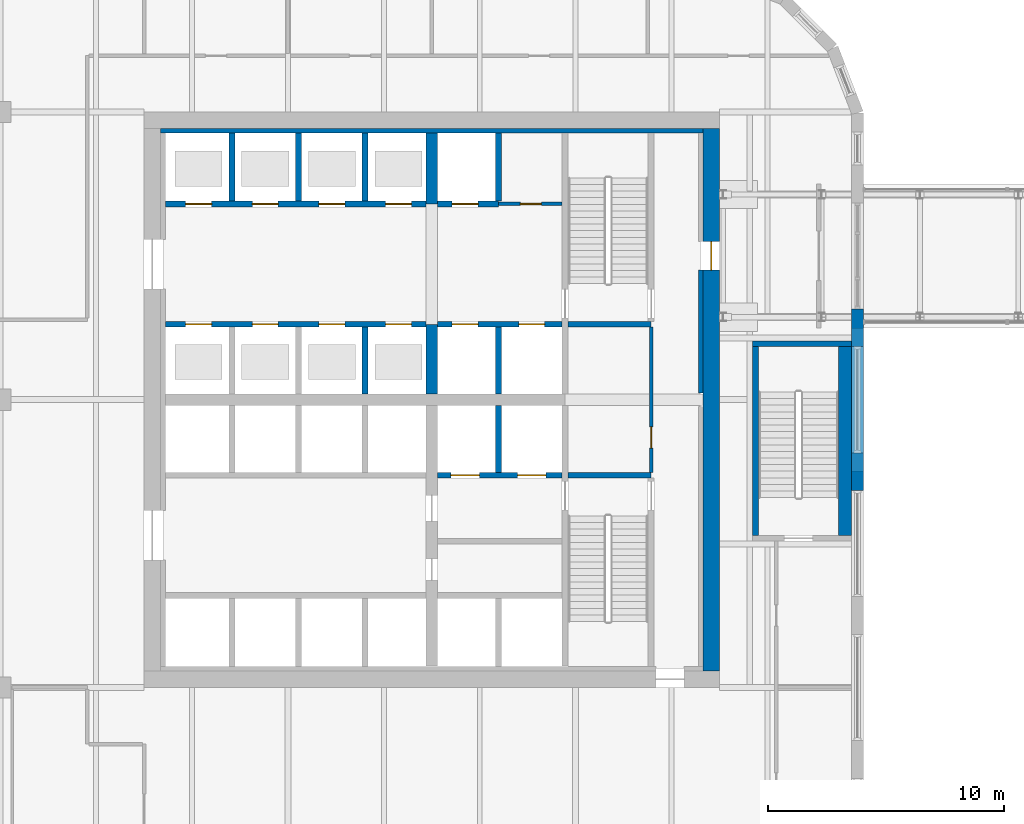
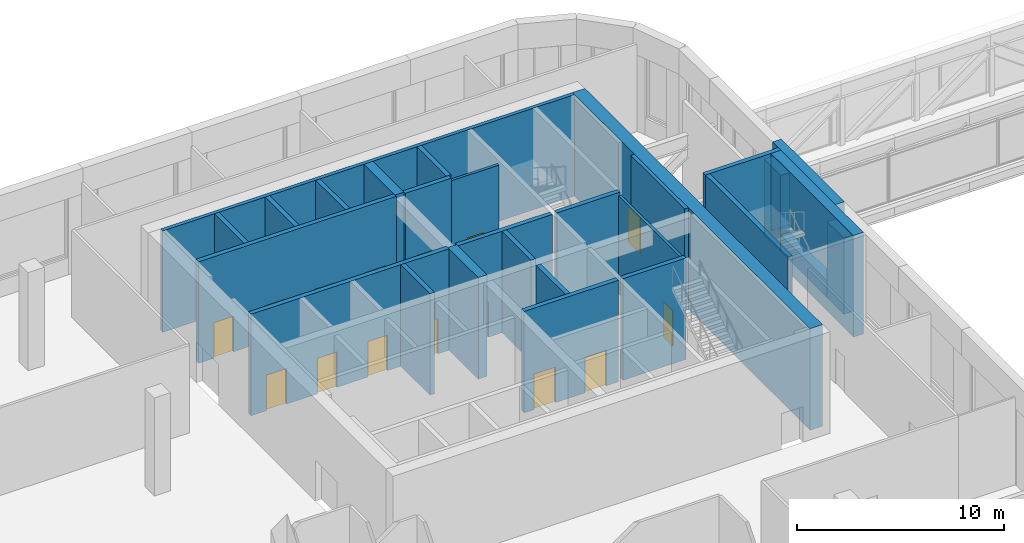
# One storey, part 24 of 36: 28 walls, 16 doors, 16 openings.
"""IFC4 building model written with IfcOpenShell, lengths in metres."""

import ifcopenshell
import ifcopenshell.guid

model = None  # the IFC model being written
_history = None  # IfcOwnerHistory: only IFC2X3 demands one
_inside = {}  # id of a spatial element -> (the spatial element, [elements in it])
_under = {}  # id of a project, library or spatial element -> (it, [spatial elements below it])
_declared = {}  # id of a project -> (the project, [libraries it declares])
_typed = {}  # id of a type object -> (the type object, [elements of that type])
_made_of = {}  # id of a material, layer set ... -> (it, [elements and type objects made of it])


def new_model(schema):
    """Start an empty IFC model of exactly this schema.

    Asked for "IFC4X3", IfcOpenShell would pick the latest addendum, in which some entities
    have other attributes; the version numbers below select the first issue.
    IFC2X3 requires an IfcOwnerHistory on every rooted entity: one is made here for all.
    """
    global model, _history
    if schema == "IFC4X3":
        model = ifcopenshell.file(schema_version=(4, 3, 0, 0))
    else:
        model = ifcopenshell.file(schema=schema)
    _inside.clear()
    _under.clear()
    _declared.clear()
    _typed.clear()
    _made_of.clear()
    _history = None
    if model.schema == "IFC2X3":
        org = make("IfcOrganization", Name="unknown")
        user = make(
            "IfcPersonAndOrganization",
            ThePerson=make("IfcPerson", FamilyName="unknown"),
            TheOrganization=org,
        )
        app = make(
            "IfcApplication",
            ApplicationDeveloper=org,
            Version="unknown",
            ApplicationFullName="unknown",
            ApplicationIdentifier="unknown",
        )
        _history = make(
            "IfcOwnerHistory",
            OwningUser=user,
            OwningApplication=app,
            ChangeAction="ADDED",
            CreationDate=0,
        )
    return model


def make(cls, **values):
    """One entity of the class cls with the attributes given. An attribute that is None is left unset."""
    return model.create_entity(
        cls, **{name: value for name, value in values.items() if value is not None}
    )


def rooted(cls, **values):
    """An entity with a GlobalId (a new one), such as an element, a storey or a relation."""
    return make(cls, GlobalId=ifcopenshell.guid.new(), OwnerHistory=_history, **values)


def si_unit(unit_type, name, prefix=None):
    """IfcSIUnit, for example si_unit("LENGTHUNIT", "METRE", prefix="MILLI")."""
    return make("IfcSIUnit", UnitType=unit_type, Prefix=prefix, Name=name)


def assignment(units):
    """IfcUnitAssignment: the units of a project."""
    return None if units is None else make("IfcUnitAssignment", Units=units)


def point(xyz):
    """IfcCartesianPoint."""
    return None if xyz is None else make("IfcCartesianPoint", Coordinates=xyz)


def direction(xyz):
    """IfcDirection."""
    return None if xyz is None else make("IfcDirection", DirectionRatios=xyz)


def frame(location, z_axis=None, x_axis=None):
    """IfcAxis2Placement3D, a coordinate frame: its origin and axes. An axis left out is left unset."""
    return make(
        "IfcAxis2Placement3D",
        Location=point(location),
        Axis=direction(z_axis),
        RefDirection=direction(x_axis),
    )


def frame_2d(location, x_axis=None):
    """IfcAxis2Placement2D, a coordinate frame in the plane: its origin and x axis."""
    return make(
        "IfcAxis2Placement2D", Location=point(location), RefDirection=direction(x_axis)
    )


def origin():
    """The frame at (0, 0, 0) with its axes left unset."""
    return frame((0.0, 0.0, 0.0))


def place(relative_to, where):
    """IfcLocalPlacement: puts the frame where relative to a parent placement (None: the world)."""
    return make(
        "IfcLocalPlacement", PlacementRelTo=relative_to, RelativePlacement=where
    )


def context(
    kind, dimensions, precision=None, world=None, true_north=None, identifier=None
):
    """IfcGeometricRepresentationContext, for example the 3D "Model" context."""
    return make(
        "IfcGeometricRepresentationContext",
        ContextIdentifier=identifier,
        ContextType=kind,
        CoordinateSpaceDimension=dimensions,
        Precision=precision,
        WorldCoordinateSystem=world,
        TrueNorth=true_north,
    )


def subcontext(parent, identifier, kind, view, scale=None):
    """IfcGeometricRepresentationSubContext, for example "Body" below "Model"."""
    return make(
        "IfcGeometricRepresentationSubContext",
        ContextIdentifier=identifier,
        ContextType=kind,
        ParentContext=parent,
        TargetScale=scale,
        TargetView=view,
    )


def project(units=None, contexts=None):
    """IfcProject with its units and contexts."""
    return rooted(
        "IfcProject",
        Name="project",
        RepresentationContexts=contexts,
        UnitsInContext=assignment(units),
    )


def spatial(cls, under=None, at=None, **own):
    """A site, building, storey or space (cls), placed at a placement, below another one or the project."""
    s = rooted(cls, ObjectPlacement=at, **own)
    if under is not None:
        _under.setdefault(under.id(), (under, []))[1].append(s)
    return s


def polyline(points):
    """IfcPolyline through the points."""
    return make("IfcPolyline", Points=[point(p) for p in points])


def profile(cls, at=None, kind="AREA", **sizes):
    """A parametric profile (cls). Its sizes go by their IFC names, for example OverallWidth=200.0."""
    return make(cls, ProfileType=kind, Position=at, **sizes)


def rectangle(**sizes):
    """IfcRectangleProfileDef."""
    return profile("IfcRectangleProfileDef", **sizes)


def outline(outer, holes=None, kind="AREA"):
    """IfcArbitraryClosedProfileDef: a profile drawn as a closed curve; with holes, ...WithVoids."""
    if holes is None:
        return make("IfcArbitraryClosedProfileDef", ProfileType=kind, OuterCurve=outer)
    return make(
        "IfcArbitraryProfileDefWithVoids",
        ProfileType=kind,
        OuterCurve=outer,
        InnerCurves=holes,
    )


def extrude(swept, where, along, depth):
    """IfcExtrudedAreaSolid: the profile swept, set in the frame where, extruded along a direction by depth."""
    return make(
        "IfcExtrudedAreaSolid",
        SweptArea=swept,
        Position=where,
        ExtrudedDirection=direction(along),
        Depth=depth,
    )


def faces_of(points, faces, orient=None, outer=None):
    """IfcFace entities. A face is a list of loops; a loop is a list of indices into points, from 0.

    orient and outer hold one flag for each loop. By default every Orientation is true, the
    first loop of a face is its IfcFaceOuterBound and the others are IfcFaceBound.
    """
    made = []
    for i, loops in enumerate(faces):
        bounds = []
        for j, loop in enumerate(loops):
            is_outer = j == 0 if outer is None else outer[i][j]
            bounds.append(
                make(
                    "IfcFaceOuterBound" if is_outer else "IfcFaceBound",
                    Bound=make("IfcPolyLoop", Polygon=[points[k] for k in loop]),
                    Orientation=True if orient is None else orient[i][j],
                )
            )
        made.append(make("IfcFace", Bounds=bounds))
    return made


def faceted_brep(points, faces, orient=None, outer=None, voids=None):
    """IfcFacetedBrep: a solid bounded by flat faces; with voids (closed shells), ...WithVoids."""
    shared = [point(p) for p in points]
    hull = make("IfcClosedShell", CfsFaces=faces_of(shared, faces, orient, outer))
    if voids is None:
        return make("IfcFacetedBrep", Outer=hull)
    return make(
        "IfcFacetedBrepWithVoids",
        Outer=hull,
        Voids=[
            make(cls, CfsFaces=faces_of(shared, fs, o, b)) for cls, fs, o, b in voids
        ],
    )


def shape(context_of_items, identifier, shape_type, items):
    """IfcShapeRepresentation: the items that make up one representation, for example the "Body"."""
    return make(
        "IfcShapeRepresentation",
        ContextOfItems=context_of_items,
        RepresentationIdentifier=identifier,
        RepresentationType=shape_type,
        Items=items,
    )


def source(mapping_origin, context_of_items, identifier, shape_type, items):
    """IfcRepresentationMap: a shape defined once, which mapped items show again and again."""
    return make(
        "IfcRepresentationMap",
        MappingOrigin=mapping_origin,
        MappedRepresentation=shape(context_of_items, identifier, shape_type, items),
    )


def transform(
    local_origin,
    x_axis=None,
    y_axis=None,
    z_axis=None,
    scale=None,
    scale2=None,
    scale3=None,
    uniform=True,
):
    """IfcCartesianTransformationOperator3D, or its non-uniform kind. x_axis, y_axis, z_axis: its Axis1, 2, 3."""
    if uniform:
        return make(
            "IfcCartesianTransformationOperator3D",
            Axis1=direction(x_axis),
            Axis2=direction(y_axis),
            LocalOrigin=point(local_origin),
            Scale=scale,
            Axis3=direction(z_axis),
        )
    return make(
        "IfcCartesianTransformationOperator3DnonUniform",
        Axis1=direction(x_axis),
        Axis2=direction(y_axis),
        LocalOrigin=point(local_origin),
        Scale=scale,
        Axis3=direction(z_axis),
        Scale2=scale2,
        Scale3=scale3,
    )


def mapped(mapping_source, mapping_target):
    """IfcMappedItem: shows the shape of a source again, moved by a transform."""
    return make(
        "IfcMappedItem", MappingSource=mapping_source, MappingTarget=mapping_target
    )


def material(Name=None, Category=None):
    """IfcMaterial."""
    return make("IfcMaterial", Name=Name, Category=Category)


def layer(
    of_material, thickness, ventilated=None, Name=None, Category=None, Priority=None
):
    """IfcMaterialLayer: one layer of a wall or slab, of a material (None: an air gap)."""
    return make(
        "IfcMaterialLayer",
        Material=of_material,
        LayerThickness=thickness,
        IsVentilated=ventilated,
        Name=Name,
        Category=Category,
        Priority=Priority,
    )


def layer_set(layers, Name=None):
    """IfcMaterialLayerSet."""
    return make("IfcMaterialLayerSet", MaterialLayers=layers, LayerSetName=Name)


def made_of(thing, what):
    """Note that an element or type object is made of a material, layer set ...; save() writes the relation."""
    if what is not None:
        _made_of.setdefault(what.id(), (what, []))[1].append(thing)
    return thing


def type_object(cls, material=None, **own):
    """A type object (cls), such as IfcWallType, which elements share."""
    return made_of(rooted(cls, **own), material)


def element(
    cls,
    number,
    at=None,
    inside=None,
    cuts=None,
    type_object=None,
    material=None,
    context=None,
    identifier="Body",
    shape_type=None,
    held_by="IfcProductDefinitionShape",
    body=None,
    shapes=None,
    **own,
):
    """One element of the class cls, such as IfcWall. Its Tag is "e" and its number.

    at: its placement. inside: the storey or other place that contains it. cuts: it is an
    opening in that element (IfcRelVoidsElement). A single representation is given by context,
    identifier, shape_type and body (its items); several are given by shapes. held_by: the class
    of the entity that holds the representations. save() writes the other relations.
    """
    e = rooted(cls, Tag="e%d" % number, ObjectPlacement=at, **own)
    if body is not None:
        shapes = [shape(context, identifier, shape_type, body)]
    if shapes is not None:
        e.Representation = make(held_by, Representations=shapes)
    if inside is not None:
        _inside.setdefault(inside.id(), (inside, []))[1].append(e)
    if cuts is not None:
        rooted(
            "IfcRelVoidsElement", RelatingBuildingElement=cuts, RelatedOpeningElement=e
        )
    if type_object is not None:
        _typed.setdefault(type_object.id(), (type_object, []))[1].append(e)
    return made_of(e, material)


def fill(opening, filler):
    """IfcRelFillsElement: the door or window that sits in an opening."""
    return rooted(
        "IfcRelFillsElement",
        RelatingOpeningElement=opening,
        RelatedBuildingElement=filler,
    )


def aggregate(whole, parts):
    """IfcRelAggregates: a whole, such as a stair, and the parts it consists of."""
    return rooted("IfcRelAggregates", RelatingObject=whole, RelatedObjects=parts)


def save(model, path):
    """Write the relations noted so far, then the file.

    IfcRelAggregates (storeys below a building ...), IfcRelContainedInSpatialStructure (elements
    in a storey), IfcRelDefinesByType, IfcRelAssociatesMaterial and IfcRelDeclares: one each for
    every whole, place, type object, material and project.
    """
    for whole, parts in _under.values():
        aggregate(whole, parts)
    for where, things in _inside.values():
        rooted(
            "IfcRelContainedInSpatialStructure",
            RelatedElements=things,
            RelatingStructure=where,
        )
    for kind, things in _typed.values():
        rooted("IfcRelDefinesByType", RelatedObjects=things, RelatingType=kind)
    for what, things in _made_of.values():
        rooted("IfcRelAssociatesMaterial", RelatedObjects=things, RelatingMaterial=what)
    for by, libraries in _declared.values():
        rooted("IfcRelDeclares", RelatingContext=by, RelatedDefinitions=libraries)
    model.write(path)


model = new_model("IFC4")

# Units and contexts
model_context = context("Model", 3, precision=1e-05, world=origin(), true_north=direction((0.0, 1.0)))
body_context = subcontext(model_context, "Body", "Model", "MODEL_VIEW")
ifc_project = project(units=[si_unit("LENGTHUNIT", "METRE"), si_unit("AREAUNIT", "SQUARE_METRE"), si_unit("VOLUMEUNIT", "CUBIC_METRE"), si_unit("PLANEANGLEUNIT", "RADIAN"), si_unit("MASSUNIT", "GRAM", prefix="KILO")], contexts=[model_context])

# Site, building, storey
site_placement = place(None, origin())
site = spatial("IfcSite", under=ifc_project, at=site_placement, CompositionType="ELEMENT")
building_placement = place(site_placement, origin())
building = spatial("IfcBuilding", under=site, at=building_placement, Name="Tessera Gate Towers", CompositionType="ELEMENT")
storey_placement = place(building_placement, frame((0.0, 0.0, 106.60009765625)))
storey = spatial("IfcBuildingStorey", under=building, at=storey_placement, Name="L26", CompositionType="ELEMENT", Elevation=106.60009765625)

# Wall, openings, doors
ifc_material_1 = material(Name="Concrete C40/50", Category="concrete")
ifc_layer_1 = layer(ifc_material_1, 0.25)
ifc_layer_set_1 = layer_set([ifc_layer_1], Name="CORE ENCLOSURE WALL 250")
wall_type_1 = type_object("IfcWallType", Name="CORE ENCLOSURE WALL 250", PredefinedType="SOLIDWALL", material=ifc_layer_set_1)
wall_1_placement = place(storey_placement, frame((48.22509765625, 33.39990234375, 0.0), z_axis=(0.0, 0.0, 1.0), x_axis=(-1.0, 0.0, 0.0)))
wall_1 = element("IfcWall", 1, at=wall_1_placement, inside=storey, type_object=wall_type_1, Name="L26 shaft and stair enclosure wall", PredefinedType="SOLIDWALL", context=body_context, shape_type="SweptSolid", body=[
    extrude(rectangle(XDim=5.275146484375, YDim=0.25, at=frame_2d((2.6376953125, 0.0))), origin(), (0.0, 0.0, 1.0), 6.0),
])
shared_shape_1 = source(origin(), body_context, "Body", "SweptSolid", [
    extrude(rectangle(XDim=1.199951171875, YDim=2.10009765625, at=frame_2d((0.60009765625, 1.050048828125))), frame((0.0, 0.135009765625, 0.0), z_axis=(0.0, -1.0, 0.0), x_axis=(1.0, 0.0, 0.0)), (0.0, 0.0, 1.0), 0.27001953125),
])
opening_1_placement = place(wall_1_placement, frame((3.512451171875, 0.0, 0.0)))
opening_1 = element("IfcOpeningElement", 2, at=opening_1_placement, cuts=wall_1, Name="Opening LD-FF1", PredefinedType="OPENING", context=body_context, shape_type="MappedRepresentation", body=[
    mapped(shared_shape_1, transform((0.0, 0.0, 0.0), scale=1.0)),
])
opening_2_placement = place(wall_1_placement, frame((0.6875, 0.0, 0.0)))
opening_2 = element("IfcOpeningElement", 3, at=opening_2_placement, cuts=wall_1, Name="Opening LD-FF2", PredefinedType="OPENING", context=body_context, shape_type="MappedRepresentation", body=[
    mapped(shared_shape_1, transform((0.0, 0.0, 0.0), scale=1.0)),
])
ifc_material_2 = material(Name="Stainless steel", Category="steel")
door_type_1 = type_object("IfcDoorType", Name="CORE DOOR LD1200 1200x2100", OperationType="DOUBLE_DOOR_SLIDING", PredefinedType="DOOR", material=ifc_material_2)
shared_shape_2 = source(origin(), body_context, "Body", "SweptSolid", [
    extrude(rectangle(XDim=1.199951171875, YDim=2.10009765625, at=frame_2d((0.60009765625, 1.050048828125))), frame((0.0, 0.02490234375, 0.0), z_axis=(0.0, -1.0, 0.0), x_axis=(1.0, 0.0, 0.0)), (0.0, 0.0, 1.0), 0.050048828125),
])
door_1_placement = place(opening_1_placement, origin())
door_1 = element("IfcDoor", 4, at=door_1_placement, inside=storey, type_object=door_type_1, Name="Landing door FF1 L26", OperationType="DOUBLE_DOOR_SLIDING", OverallHeight=2.10009765625, OverallWidth=1.199951171875, PredefinedType="DOOR", context=body_context, shape_type="MappedRepresentation", body=[
    mapped(shared_shape_2, transform((0.0, 0.0, 0.0), scale=1.0)),
])
fill(opening_1, door_1)
door_2_placement = place(opening_2_placement, origin())
door_2 = element("IfcDoor", 5, at=door_2_placement, inside=storey, type_object=door_type_1, Name="Landing door FF2 L26", OperationType="DOUBLE_DOOR_SLIDING", OverallHeight=2.10009765625, OverallWidth=1.199951171875, PredefinedType="DOOR", context=body_context, shape_type="MappedRepresentation", body=[
    mapped(shared_shape_2, transform((0.0, 0.0, 0.0), scale=1.0)),
])
fill(opening_2, door_2)

# Wall
wall_2_placement = place(storey_placement, frame((48.47509765625, 33.39990234375, 0.0), z_axis=(0.0, 0.0, 1.0), x_axis=(1.0, 0.0, 0.0)))
element("IfcWall", 6, at=wall_2_placement, inside=storey, type_object=wall_type_1, Name="L26 shaft and stair enclosure wall", PredefinedType="SOLIDWALL", context=body_context, shape_type="SweptSolid", body=[
    extrude(rectangle(XDim=3.52490234375, YDim=0.25, at=frame_2d((1.762451171875, 0.0))), origin(), (0.0, 0.0, 1.0), 6.0),
])

# Wall, openings, doors
wall_3_placement = place(storey_placement, frame((31.39990234375, 39.800048828125, 0.0), z_axis=(0.0, 0.0, 1.0), x_axis=(1.0, 0.0, 0.0)))
wall_3 = element("IfcWall", 7, at=wall_3_placement, inside=storey, type_object=wall_type_1, Name="L26 shaft and stair enclosure wall", PredefinedType="SOLIDWALL", context=body_context, shape_type="SweptSolid", body=[
    extrude(rectangle(XDim=11.050048828125, YDim=0.25, at=frame_2d((5.52490234375, 0.0))), origin(), (0.0, 0.0, 1.0), 6.0),
])
shared_shape_3 = source(origin(), body_context, "Body", "SweptSolid", [
    extrude(rectangle(XDim=1.10009765625, YDim=2.10009765625, at=frame_2d((0.550048828125, 1.050048828125))), frame((0.0, 0.135009765625, 0.0), z_axis=(0.0, -1.0, 0.0), x_axis=(1.0, 0.0, 0.0)), (0.0, 0.0, 1.0), 0.27001953125),
])
opening_3_placement = place(wall_3_placement, frame((0.862548828125, 0.0, 0.0)))
opening_3 = element("IfcOpeningElement", 8, at=opening_3_placement, cuts=wall_3, Name="Opening LD-HR1", PredefinedType="OPENING", context=body_context, shape_type="MappedRepresentation", body=[
    mapped(shared_shape_3, transform((0.0, 0.0, 0.0), scale=1.0)),
])
opening_4_placement = place(wall_3_placement, frame((3.6875, 0.0, 0.0)))
opening_4 = element("IfcOpeningElement", 9, at=opening_4_placement, cuts=wall_3, Name="Opening LD-HR2", PredefinedType="OPENING", context=body_context, shape_type="MappedRepresentation", body=[
    mapped(shared_shape_3, transform((0.0, 0.0, 0.0), scale=1.0)),
])
opening_5_placement = place(wall_3_placement, frame((6.512451171875, 0.0, 0.0)))
opening_5 = element("IfcOpeningElement", 10, at=opening_5_placement, cuts=wall_3, Name="Opening LD-HR3", PredefinedType="OPENING", context=body_context, shape_type="MappedRepresentation", body=[
    mapped(shared_shape_3, transform((0.0, 0.0, 0.0), scale=1.0)),
])
opening_6_placement = place(wall_3_placement, frame((9.33740234375, 0.0, 0.0)))
opening_6 = element("IfcOpeningElement", 11, at=opening_6_placement, cuts=wall_3, Name="Opening LD-HR4", PredefinedType="OPENING", context=body_context, shape_type="MappedRepresentation", body=[
    mapped(shared_shape_3, transform((0.0, 0.0, 0.0), scale=1.0)),
])
ifc_material_3 = material(Name="Stainless steel", Category="steel")
door_type_2 = type_object("IfcDoorType", Name="CORE DOOR LD 1100x2100", OperationType="DOUBLE_DOOR_SLIDING", PredefinedType="DOOR", material=ifc_material_3)
shared_shape_4 = source(origin(), body_context, "Body", "SweptSolid", [
    extrude(rectangle(XDim=1.10009765625, YDim=2.10009765625, at=frame_2d((0.550048828125, 1.050048828125))), frame((0.0, 0.02490234375, 0.0), z_axis=(0.0, -1.0, 0.0), x_axis=(1.0, 0.0, 0.0)), (0.0, 0.0, 1.0), 0.050048828125),
])
door_3_placement = place(opening_3_placement, origin())
door_3 = element("IfcDoor", 12, at=door_3_placement, inside=storey, type_object=door_type_2, Name="Landing door HR1 L26", OperationType="DOUBLE_DOOR_SLIDING", OverallHeight=2.10009765625, OverallWidth=1.10009765625, PredefinedType="DOOR", context=body_context, shape_type="MappedRepresentation", body=[
    mapped(shared_shape_4, transform((0.0, 0.0, 0.0), scale=1.0)),
])
fill(opening_3, door_3)
door_4_placement = place(opening_4_placement, origin())
door_4 = element("IfcDoor", 13, at=door_4_placement, inside=storey, type_object=door_type_2, Name="Landing door HR2 L26", OperationType="DOUBLE_DOOR_SLIDING", OverallHeight=2.10009765625, OverallWidth=1.10009765625, PredefinedType="DOOR", context=body_context, shape_type="MappedRepresentation", body=[
    mapped(shared_shape_4, transform((0.0, 0.0, 0.0), scale=1.0)),
])
fill(opening_4, door_4)
door_5_placement = place(opening_5_placement, origin())
door_5 = element("IfcDoor", 14, at=door_5_placement, inside=storey, type_object=door_type_2, Name="Landing door HR3 L26", OperationType="DOUBLE_DOOR_SLIDING", OverallHeight=2.10009765625, OverallWidth=1.10009765625, PredefinedType="DOOR", context=body_context, shape_type="MappedRepresentation", body=[
    mapped(shared_shape_4, transform((0.0, 0.0, 0.0), scale=1.0)),
])
fill(opening_5, door_5)
door_6_placement = place(opening_6_placement, origin())
door_6 = element("IfcDoor", 15, at=door_6_placement, inside=storey, type_object=door_type_2, Name="Landing door HR4 L26", OperationType="DOUBLE_DOOR_SLIDING", OverallHeight=2.10009765625, OverallWidth=1.10009765625, PredefinedType="DOOR", context=body_context, shape_type="MappedRepresentation", body=[
    mapped(shared_shape_4, transform((0.0, 0.0, 0.0), scale=1.0)),
])
fill(opening_6, door_6)

wall_4_placement = place(storey_placement, frame((42.949951171875, 39.800048828125, 0.0), z_axis=(0.0, 0.0, 1.0), x_axis=(1.0, 0.0, 0.0)))
wall_4 = element("IfcWall", 16, at=wall_4_placement, inside=storey, type_object=wall_type_1, Name="L26 shaft and stair enclosure wall", PredefinedType="SOLIDWALL", context=body_context, shape_type="SweptSolid", body=[
    extrude(rectangle(XDim=5.275146484375, YDim=0.25, at=frame_2d((2.6376953125, 0.0))), origin(), (0.0, 0.0, 1.0), 6.0),
])
opening_7_placement = place(wall_4_placement, frame((0.612548828125, 0.0, 0.0)))
opening_7 = element("IfcOpeningElement", 17, at=opening_7_placement, cuts=wall_4, Name="Opening LD-SH1", PredefinedType="OPENING", context=body_context, shape_type="MappedRepresentation", body=[
    mapped(shared_shape_3, transform((0.0, 0.0, 0.0), scale=1.0)),
])
opening_8_placement = place(wall_4_placement, frame((3.4375, 0.0, 0.0)))
opening_8 = element("IfcOpeningElement", 18, at=opening_8_placement, cuts=wall_4, Name="Opening LD-SH2", PredefinedType="OPENING", context=body_context, shape_type="MappedRepresentation", body=[
    mapped(shared_shape_3, transform((0.0, 0.0, 0.0), scale=1.0)),
])
door_7_placement = place(opening_7_placement, origin())
door_7 = element("IfcDoor", 19, at=door_7_placement, inside=storey, type_object=door_type_2, Name="Landing door SH1 L26", OperationType="DOUBLE_DOOR_SLIDING", OverallHeight=2.10009765625, OverallWidth=1.10009765625, PredefinedType="DOOR", context=body_context, shape_type="MappedRepresentation", body=[
    mapped(shared_shape_4, transform((0.0, 0.0, 0.0), scale=1.0)),
])
fill(opening_7, door_7)
door_8_placement = place(opening_8_placement, origin())
door_8 = element("IfcDoor", 20, at=door_8_placement, inside=storey, type_object=door_type_2, Name="Landing door SH2 L26", OperationType="DOUBLE_DOOR_SLIDING", OverallHeight=2.10009765625, OverallWidth=1.10009765625, PredefinedType="DOOR", context=body_context, shape_type="MappedRepresentation", body=[
    mapped(shared_shape_4, transform((0.0, 0.0, 0.0), scale=1.0)),
])
fill(opening_8, door_8)

# Wall
wall_5_placement = place(storey_placement, frame((48.47509765625, 39.800048828125, 0.0), z_axis=(0.0, 0.0, 1.0), x_axis=(1.0, 0.0, 0.0)))
element("IfcWall", 21, at=wall_5_placement, inside=storey, type_object=wall_type_1, Name="L26 shaft and stair enclosure wall", PredefinedType="SOLIDWALL", context=body_context, shape_type="SweptSolid", body=[
    extrude(rectangle(XDim=3.52490234375, YDim=0.25, at=frame_2d((1.762451171875, 0.0))), origin(), (0.0, 0.0, 1.0), 6.0),
])

# Wall, openings, doors
wall_6_placement = place(storey_placement, frame((42.449951171875, 44.89990234375, 0.0), z_axis=(0.0, 0.0, 1.0), x_axis=(-1.0, 0.0, 0.0)))
wall_6 = element("IfcWall", 22, at=wall_6_placement, inside=storey, type_object=wall_type_1, Name="L26 shaft and stair enclosure wall", PredefinedType="SOLIDWALL", context=body_context, shape_type="SweptSolid", body=[
    extrude(rectangle(XDim=11.050048828125, YDim=0.25, at=frame_2d((5.52490234375, 0.0))), origin(), (0.0, 0.0, 1.0), 6.0),
])
opening_9_placement = place(wall_6_placement, frame((9.08740234375, 0.0, 0.0)))
opening_9 = element("IfcOpeningElement", 23, at=opening_9_placement, cuts=wall_6, Name="Opening LD-HR5", PredefinedType="OPENING", context=body_context, shape_type="MappedRepresentation", body=[
    mapped(shared_shape_3, transform((0.0, 0.0, 0.0), scale=1.0)),
])
opening_10_placement = place(wall_6_placement, frame((6.262451171875, 0.0, 0.0)))
opening_10 = element("IfcOpeningElement", 24, at=opening_10_placement, cuts=wall_6, Name="Opening LD-HR6", PredefinedType="OPENING", context=body_context, shape_type="MappedRepresentation", body=[
    mapped(shared_shape_3, transform((0.0, 0.0, 0.0), scale=1.0)),
])
opening_11_placement = place(wall_6_placement, frame((3.4375, 0.0, 0.0)))
opening_11 = element("IfcOpeningElement", 25, at=opening_11_placement, cuts=wall_6, Name="Opening LD-HR7", PredefinedType="OPENING", context=body_context, shape_type="MappedRepresentation", body=[
    mapped(shared_shape_3, transform((0.0, 0.0, 0.0), scale=1.0)),
])
opening_12_placement = place(wall_6_placement, frame((0.612548828125, 0.0, 0.0)))
opening_12 = element("IfcOpeningElement", 26, at=opening_12_placement, cuts=wall_6, Name="Opening LD-HR8", PredefinedType="OPENING", context=body_context, shape_type="MappedRepresentation", body=[
    mapped(shared_shape_3, transform((0.0, 0.0, 0.0), scale=1.0)),
])
door_9_placement = place(opening_9_placement, origin())
door_9 = element("IfcDoor", 27, at=door_9_placement, inside=storey, type_object=door_type_2, Name="Landing door HR5 L26", OperationType="DOUBLE_DOOR_SLIDING", OverallHeight=2.10009765625, OverallWidth=1.10009765625, PredefinedType="DOOR", context=body_context, shape_type="MappedRepresentation", body=[
    mapped(shared_shape_4, transform((0.0, 0.0, 0.0), scale=1.0)),
])
fill(opening_9, door_9)
door_10_placement = place(opening_10_placement, origin())
door_10 = element("IfcDoor", 28, at=door_10_placement, inside=storey, type_object=door_type_2, Name="Landing door HR6 L26", OperationType="DOUBLE_DOOR_SLIDING", OverallHeight=2.10009765625, OverallWidth=1.10009765625, PredefinedType="DOOR", context=body_context, shape_type="MappedRepresentation", body=[
    mapped(shared_shape_4, transform((0.0, 0.0, 0.0), scale=1.0)),
])
fill(opening_10, door_10)
door_11_placement = place(opening_11_placement, origin())
door_11 = element("IfcDoor", 29, at=door_11_placement, inside=storey, type_object=door_type_2, Name="Landing door HR7 L26", OperationType="DOUBLE_DOOR_SLIDING", OverallHeight=2.10009765625, OverallWidth=1.10009765625, PredefinedType="DOOR", context=body_context, shape_type="MappedRepresentation", body=[
    mapped(shared_shape_4, transform((0.0, 0.0, 0.0), scale=1.0)),
])
fill(opening_11, door_11)
door_12_placement = place(opening_12_placement, origin())
door_12 = element("IfcDoor", 30, at=door_12_placement, inside=storey, type_object=door_type_2, Name="Landing door HR8 L26", OperationType="DOUBLE_DOOR_SLIDING", OverallHeight=2.10009765625, OverallWidth=1.10009765625, PredefinedType="DOOR", context=body_context, shape_type="MappedRepresentation", body=[
    mapped(shared_shape_4, transform((0.0, 0.0, 0.0), scale=1.0)),
])
fill(opening_12, door_12)

# Wall, opening, door
wall_7_placement = place(storey_placement, frame((45.52490234375, 44.89990234375, 0.0), z_axis=(0.0, 0.0, 1.0), x_axis=(-1.0, 0.0, 0.0)))
wall_7 = element("IfcWall", 31, at=wall_7_placement, inside=storey, type_object=wall_type_1, Name="L26 shaft and stair enclosure wall", PredefinedType="SOLIDWALL", context=body_context, shape_type="SweptSolid", body=[
    extrude(rectangle(XDim=2.574951171875, YDim=0.25, at=frame_2d((1.28759765625, 0.0))), origin(), (0.0, 0.0, 1.0), 6.0),
])
opening_13_placement = place(wall_7_placement, frame((0.862548828125, 0.0, 0.0)))
opening_13 = element("IfcOpeningElement", 32, at=opening_13_placement, cuts=wall_7, Name="Opening LD-SH3", PredefinedType="OPENING", context=body_context, shape_type="MappedRepresentation", body=[
    mapped(shared_shape_3, transform((0.0, 0.0, 0.0), scale=1.0)),
])
door_13_placement = place(opening_13_placement, origin())
door_13 = element("IfcDoor", 33, at=door_13_placement, inside=storey, type_object=door_type_2, Name="Landing door SH3 L26", OperationType="DOUBLE_DOOR_SLIDING", OverallHeight=2.10009765625, OverallWidth=1.10009765625, PredefinedType="DOOR", context=body_context, shape_type="MappedRepresentation", body=[
    mapped(shared_shape_4, transform((0.0, 0.0, 0.0), scale=1.0)),
])
fill(opening_13, door_13)

# Walls
wall_8_placement = place(storey_placement, frame((39.875, 36.85009765625, 0.0), z_axis=(0.0, 0.0, 1.0), x_axis=(0.0, 1.0, 0.0)))
element("IfcWall", 34, at=wall_8_placement, inside=storey, type_object=wall_type_1, Name="L26 shaft and stair enclosure wall", PredefinedType="SOLIDWALL", context=body_context, shape_type="SweptSolid", body=[
    extrude(rectangle(XDim=2.824951171875, YDim=0.25, at=frame_2d((1.41259765625, 0.0))), origin(), (0.0, 0.0, 1.0), 6.0),
])
wall_9_placement = place(storey_placement, frame((45.52490234375, 33.52490234375, 0.0), z_axis=(0.0, 0.0, 1.0), x_axis=(0.0, 1.0, 0.0)))
element("IfcWall", 35, at=wall_9_placement, inside=storey, type_object=wall_type_1, Name="L26 shaft and stair enclosure wall", PredefinedType="SOLIDWALL", context=body_context, shape_type="SweptSolid", body=[
    extrude(rectangle(XDim=2.8251953125, YDim=0.25, at=frame_2d((1.41259765625, 0.0))), origin(), (0.0, 0.0, 1.0), 6.0),
])
wall_10_placement = place(storey_placement, frame((45.52490234375, 36.85009765625, 0.0), z_axis=(0.0, 0.0, 1.0), x_axis=(0.0, 1.0, 0.0)))
element("IfcWall", 36, at=wall_10_placement, inside=storey, type_object=wall_type_1, Name="L26 shaft and stair enclosure wall", PredefinedType="SOLIDWALL", context=body_context, shape_type="SweptSolid", body=[
    extrude(rectangle(XDim=2.824951171875, YDim=0.25, at=frame_2d((1.41259765625, 0.0))), origin(), (0.0, 0.0, 1.0), 6.0),
])
for number, where, z_axis, x_axis, name in (
    (37, (34.22509765625, 45.02490234375, 0.0), (0.0, 0.0, 1.0), (0.0, 1.0, 0.0), "L26 shaft and stair enclosure wall"),
    (38, (37.050048828125, 45.02490234375, 0.0), (0.0, 0.0, 1.0), (0.0, 1.0, 0.0), "L26 shaft and stair enclosure wall"),
    (39, (39.875, 45.02490234375, 0.0), (0.0, 0.0, 1.0), (0.0, 1.0, 0.0), "L26 shaft and stair enclosure wall"),
    (40, (45.52490234375, 45.02490234375, 0.0), (0.0, 0.0, 1.0), (0.0, 1.0, 0.0), "L26 shaft and stair enclosure wall"),
):
    element("IfcWall", number, at=place(storey_placement, frame(where, z_axis=z_axis, x_axis=x_axis)), inside=storey, type_object=wall_type_1, Name=name, PredefinedType="SOLIDWALL", context=body_context, shape_type="SweptSolid", body=[
        extrude(rectangle(XDim=2.875, YDim=0.25, at=frame_2d((1.4375, 0.0))), origin(), (0.0, 0.0, 1.0), 6.0),
    ])
wall_11_placement = place(storey_placement, frame((56.425048828125, 30.85009765625, 0.0), z_axis=(0.0, 0.0, 1.0), x_axis=(0.0, 1.0, 0.0)))
element("IfcWall", 41, at=wall_11_placement, inside=storey, type_object=wall_type_1, Name="L26 ST5 enclosure wall", PredefinedType="SOLIDWALL", context=body_context, shape_type="SweptSolid", body=[
    extrude(rectangle(XDim=8.0, YDim=0.25, at=frame_2d((4.0, 0.0))), origin(), (0.0, 0.0, 1.0), 6.0),
])
wall_12_placement = place(storey_placement, frame((56.300048828125, 38.97509765625, 0.0), z_axis=(0.0, 0.0, 1.0), x_axis=(1.0, 0.0, 0.0)))
element("IfcWall", 42, at=wall_12_placement, inside=storey, type_object=wall_type_1, Name="L26 ST5 enclosure wall", PredefinedType="SOLIDWALL", context=body_context, shape_type="SweptSolid", body=[
    extrude(rectangle(XDim=4.199951171875, YDim=0.25, at=frame_2d((2.10009765625, 0.0))), origin(), (0.0, 0.0, 1.0), 6.0),
])
ifc_material_4 = material(Name="Concrete C40/50", Category="concrete")
ifc_layer_2 = layer(ifc_material_4, 0.550048828125)
ifc_layer_set_2 = layer_set([ifc_layer_2], Name="CORE ENCLOSURE WALL 550")
wall_type_2 = type_object("IfcWallType", Name="CORE ENCLOSURE WALL 550", PredefinedType="SOLIDWALL", material=ifc_layer_set_2)
wall_13_placement = place(storey_placement, frame((60.22509765625, 38.85009765625, 0.0), z_axis=(0.0, 0.0, 1.0), x_axis=(0.0, -1.0, 0.0)))
element("IfcWall", 43, at=wall_13_placement, inside=storey, type_object=wall_type_2, Name="L26 ST5 enclosure wall", PredefinedType="SOLIDWALL", context=body_context, shape_type="SweptSolid", body=[
    extrude(rectangle(XDim=8.0, YDim=0.550048828125, at=frame_2d((4.0, 0.0))), origin(), (0.0, 0.0, 1.0), 6.0),
])

# Wall, opening, door
ifc_material_5 = material(Name="Concrete C60/75", Category="concrete")
ifc_layer_3 = layer(ifc_material_5, 0.699951171875)
ifc_layer_set_3 = layer_set([ifc_layer_3], Name="CORE SHEAR WALL 700 C60/75")
wall_type_3 = type_object("IfcWallType", Name="CORE SHEAR WALL 700 C60/75", PredefinedType="SHEAR", material=ifc_layer_set_3)
wall_14_placement = place(storey_placement, frame((54.550048828125, 48.10009765625, 0.0), z_axis=(0.0, 0.0, 1.0), x_axis=(0.0, -1.0, 0.0)))
wall_14 = element("IfcWall", 44, at=wall_14_placement, inside=storey, type_object=wall_type_3, Name="Core wall E L26", PredefinedType="SHEAR", context=body_context, shape_type="SweptSolid", body=[
    extrude(rectangle(XDim=23.0, YDim=0.699951171875, at=frame_2d((11.5, 0.0))), origin(), (0.0, 0.0, 1.0), 6.0),
])
shared_shape_5 = source(origin(), body_context, "Body", "SweptSolid", [
    extrude(rectangle(XDim=1.199951171875, YDim=2.10009765625, at=frame_2d((0.60009765625, 1.050048828125))), frame((0.0, 0.35986328125, 0.0), z_axis=(0.0, -1.0, 0.0), x_axis=(1.0, 0.0, 0.0)), (0.0, 0.0, 1.0), 0.719970703125),
])
opening_14_placement = place(wall_14_placement, frame((4.800048828125, 0.0, 0.0)))
opening_14 = element("IfcOpeningElement", 45, at=opening_14_placement, cuts=wall_14, Name="Opening ED-T1-18-04", PredefinedType="OPENING", context=body_context, shape_type="MappedRepresentation", body=[
    mapped(shared_shape_5, transform((0.0, 0.0, 0.0), scale=1.0)),
])
ifc_material_6 = material(Name="Hollow steel fire door", Category="steel")
door_type_3 = type_object("IfcDoorType", Name="CORE DOOR ED 1200x2100", OperationType="NOTDEFINED", PredefinedType="DOOR", material=ifc_material_6)
door_14_placement = place(opening_14_placement, origin())
door_14 = element("IfcDoor", 46, at=door_14_placement, inside=storey, type_object=door_type_3, Name="Core exit door", OperationType="SINGLE_SWING_LEFT", OverallHeight=2.10009765625, OverallWidth=1.199951171875, PredefinedType="DOOR", context=body_context, shape_type="MappedRepresentation", body=[
    mapped(shared_shape_2, transform((0.0, 0.0, 0.0), scale=1.0)),
])
fill(opening_14, door_14)

# Walls
ifc_material_7 = material(Name="Concrete C60/75", Category="concrete")
ifc_layer_4 = layer(ifc_material_7, 0.5)
ifc_layer_set_4 = layer_set([ifc_layer_4], Name="CORE SPINE WALL 500 C60/75")
wall_type_4 = type_object("IfcWallType", Name="CORE SPINE WALL 500 C60/75", PredefinedType="SHEAR", material=ifc_layer_set_4)
wall_15_placement = place(storey_placement, frame((42.699951171875, 36.85009765625, 0.0), z_axis=(0.0, 0.0, 1.0), x_axis=(0.0, 1.0, 0.0)))
element("IfcWall", 47, at=wall_15_placement, inside=storey, type_object=wall_type_4, Name="Core wall spine L26", PredefinedType="SHEAR", context=body_context, shape_type="SweptSolid", body=[
    extrude(rectangle(XDim=2.949951171875, YDim=0.5, at=frame_2d((1.47509765625, 0.0))), origin(), (0.0, 0.0, 1.0), 6.0),
])
wall_16_placement = place(storey_placement, frame((42.699951171875, 44.89990234375, 0.0), z_axis=(0.0, 0.0, 1.0), x_axis=(0.0, 1.0, 0.0)))
element("IfcWall", 48, at=wall_16_placement, inside=storey, type_object=wall_type_4, Name="Core wall spine L26", PredefinedType="SHEAR", context=body_context, shape_type="SweptSolid", body=[
    extrude(rectangle(XDim=3.0, YDim=0.5, at=frame_2d((1.5, 0.0))), origin(), (0.0, 0.0, 1.0), 6.0),
])
ifc_material_8 = material(Name="Concrete C60/75", Category="concrete")
ifc_layer_5 = layer(ifc_material_8, 0.199951171875)
ifc_layer_set_5 = layer_set([ifc_layer_5], Name="CORE WALL THICKENING 200")
wall_type_5 = type_object("IfcWallType", Name="CORE WALL THICKENING 200", PredefinedType="SOLIDWALL", material=ifc_layer_set_5)
wall_17_placement = place(storey_placement, frame((31.199951171875, 48.0, 0.0), z_axis=(0.0, 0.0, 1.0), x_axis=(1.0, 0.0, 0.0)))
element("IfcWall", 49, at=wall_17_placement, inside=storey, type_object=wall_type_5, Name="Core wall thickening N L26", PredefinedType="SOLIDWALL", context=body_context, shape_type="SweptSolid", body=[
    extrude(rectangle(XDim=23.0, YDim=0.199951171875, at=frame_2d((11.5, 0.0))), origin(), (0.0, 0.0, 1.0), 6.0),
])
wall_18_placement = place(storey_placement, frame((54.10009765625, 36.8798828125, 0.0), z_axis=(0.0, 0.0, 1.0), x_axis=(0.0, 1.0, 0.0)))
element("IfcWall", 50, at=wall_18_placement, inside=storey, type_object=wall_type_5, Name="Core wall thickening E L26", PredefinedType="SOLIDWALL", context=body_context, shape_type="SweptSolid", body=[
    extrude(rectangle(XDim=5.22021484375, YDim=0.199951171875, at=frame_2d((2.610107421875, 0.0))), origin(), (0.0, 0.0, 1.0), 6.0),
])

# Wall, opening, door
ifc_material_9 = material(Name="Gypsum board on steel studs", Category="steel")
ifc_layer_6 = layer(ifc_material_9, 0.14990234375)
ifc_layer_set_6 = layer_set([ifc_layer_6], Name="SERVICE ROOM WALL 150")
wall_type_6 = type_object("IfcWallType", Name="SERVICE ROOM WALL 150", PredefinedType="PARTITIONING", material=ifc_layer_set_6)
wall_19_placement = place(storey_placement, frame((52.0, 33.52490234375, 0.0), z_axis=(0.0, 0.0, 1.0), x_axis=(0.0, 1.0, 0.0)))
wall_19 = element("IfcWall", 51, at=wall_19_placement, inside=storey, type_object=wall_type_6, Name="L26 service room wall", PredefinedType="PARTITIONING", context=body_context, shape_type="SweptSolid", body=[
    extrude(rectangle(XDim=6.150146484375, YDim=0.14990234375, at=frame_2d((3.0751953125, 0.0))), origin(), (0.0, 0.0, 1.0), 5.7998046875),
])
shared_shape_6 = source(origin(), body_context, "Body", "SweptSolid", [
    extrude(rectangle(XDim=0.89990234375, YDim=2.10009765625, at=frame_2d((0.449951171875, 1.050048828125))), frame((0.0, 0.0849609375, 0.0), z_axis=(0.0, -1.0, 0.0), x_axis=(1.0, 0.0, 0.0)), (0.0, 0.0, 1.0), 0.169921875),
])
opening_15_placement = place(wall_19_placement, frame((1.02490234375, 0.0, 0.0)))
opening_15 = element("IfcOpeningElement", 52, at=opening_15_placement, cuts=wall_19, Name="Opening RD-T1-18-07", PredefinedType="OPENING", context=body_context, shape_type="MappedRepresentation", body=[
    mapped(shared_shape_6, transform((0.0, 0.0, 0.0), scale=1.0)),
])
ifc_material_10 = material(Name="Hollow steel fire door", Category="steel")
door_type_4 = type_object("IfcDoorType", Name="CORE DOOR RD 900x2100", OperationType="NOTDEFINED", PredefinedType="DOOR", material=ifc_material_10)
shared_shape_7 = source(origin(), body_context, "Body", "SweptSolid", [
    extrude(rectangle(XDim=0.89990234375, YDim=2.10009765625, at=frame_2d((0.449951171875, 1.050048828125))), frame((0.0, 0.02490234375, 0.0), z_axis=(0.0, -1.0, 0.0), x_axis=(1.0, 0.0, 0.0)), (0.0, 0.0, 1.0), 0.050048828125),
])
door_15_placement = place(opening_15_placement, origin())
door_15 = element("IfcDoor", 53, at=door_15_placement, inside=storey, type_object=door_type_4, Name="Core room door", OperationType="SINGLE_SWING_LEFT", OverallHeight=2.10009765625, OverallWidth=0.89990234375, PredefinedType="DOOR", context=body_context, shape_type="MappedRepresentation", body=[
    mapped(shared_shape_7, transform((0.0, 0.0, 0.0), scale=1.0)),
])
fill(opening_15, door_15)

wall_20_placement = place(storey_placement, frame((45.52490234375, 44.89990234375, 0.0), z_axis=(0.0, 0.0, 1.0), x_axis=(1.0, 0.0, 0.0)))
wall_20 = element("IfcWall", 54, at=wall_20_placement, inside=storey, type_object=wall_type_6, Name="L26 service room wall", PredefinedType="PARTITIONING", context=body_context, shape_type="SweptSolid", body=[
    extrude(rectangle(XDim=2.7001953125, YDim=0.14990234375, at=frame_2d((1.35009765625, 0.0))), origin(), (0.0, 0.0, 1.0), 5.7998046875),
])
opening_16_placement = place(wall_20_placement, frame((0.925048828125, 0.0, 0.0)))
opening_16 = element("IfcOpeningElement", 55, at=opening_16_placement, cuts=wall_20, Name="Opening RD-T1-18-08", PredefinedType="OPENING", context=body_context, shape_type="MappedRepresentation", body=[
    mapped(shared_shape_6, transform((0.0, 0.0, 0.0), scale=1.0)),
])
door_16_placement = place(opening_16_placement, origin())
door_16 = element("IfcDoor", 56, at=door_16_placement, inside=storey, type_object=door_type_4, Name="Core room door", OperationType="SINGLE_SWING_RIGHT", OverallHeight=2.10009765625, OverallWidth=0.89990234375, PredefinedType="DOOR", context=body_context, shape_type="MappedRepresentation", body=[
    mapped(shared_shape_7, transform((0.0, 0.0, 0.0), scale=1.0)),
])
fill(opening_16, door_16)

# Walls
ifc_material_11 = material(Name="Precast concrete C60/75 white", Category="concrete")
ifc_layer_7 = layer(ifc_material_11, 0.5)
ifc_layer_set_7 = layer_set([ifc_layer_7], Name="RB1 ring band panel")
wall_type_7 = type_object("IfcWallType", Name="RB1 ring band panel", PredefinedType="SOLIDWALL", material=ifc_layer_set_7)
shared_shape_8 = source(origin(), body_context, "Body", "Brep", [
    faceted_brep([(0.0, -0.25, 0.0), (1.599853515625, -0.25, 0.0), (1.599853515625, -0.25, 4.5), (0.0, -0.25, 4.5), (0.0, 0.25, 4.5), (1.599853515625, 0.25, 4.5), (1.599853515625, 0.25, 0.0), (0.0, 0.25, 0.0)], [[[0, 1, 2, 3]], [[4, 5, 6, 7]], [[7, 6, 1, 0]], [[5, 4, 3, 2]], [[4, 7, 0, 3]], [[1, 6, 5, 2]]]),
])
wall_21_placement = place(storey_placement, frame((60.75, 38.85009765625, 0.0), z_axis=(0.0, 0.0, 1.0), x_axis=(0.0, 1.0, 0.0)))
element("IfcWall", 57, at=wall_21_placement, inside=storey, type_object=wall_type_7, Name="Ring band panel T1 RB1-0128", PredefinedType="SOLIDWALL", context=body_context, shape_type="MappedRepresentation", body=[
    mapped(shared_shape_8, transform((0.0, 0.0, 0.0), scale=1.0)),
])
shared_shape_9 = source(origin(), body_context, "Body", "SweptSolid", [
    extrude(outline(polyline([(0.0, 0.0), (1.60009765625, 0.0), (1.60009765625, 4.5), (0.0, 4.5), (0.0, 0.0)])), frame((0.0, 0.25, 0.0), z_axis=(0.0, -1.0, 0.0), x_axis=(1.0, 0.0, 0.0)), (0.0, 0.0, 1.0), 0.5),
])
wall_22_placement = place(storey_placement, frame((60.75, 32.75, 0.0), z_axis=(0.0, 0.0, 1.0), x_axis=(0.0, 1.0, 0.0)))
element("IfcWall", 58, at=wall_22_placement, inside=storey, type_object=wall_type_7, Name="Ring band panel T1 RB1-0127", PredefinedType="SOLIDWALL", context=body_context, shape_type="MappedRepresentation", body=[
    mapped(shared_shape_9, transform((0.0, 0.0, 0.0), scale=1.0)),
])
shared_shape_10 = source(origin(), body_context, "Body", "SweptSolid", [
    extrude(outline(polyline([(0.0, 0.0), (4.5, 0.0), (4.5, 1.0), (0.0, 1.0), (0.0, 0.0)])), frame((0.0, 0.25, 0.0), z_axis=(0.0, -1.0, 0.0), x_axis=(1.0, 0.0, 0.0)), (0.0, 0.0, 1.0), 0.5),
])
wall_23_placement = place(storey_placement, frame((60.75, 34.35009765625, 0.0), z_axis=(0.0, 0.0, 1.0), x_axis=(0.0, 1.0, 0.0)))
element("IfcWall", 59, at=wall_23_placement, inside=storey, type_object=wall_type_7, Name="Ring band panel T1 RB1-0141", PredefinedType="SOLIDWALL", context=body_context, shape_type="MappedRepresentation", body=[
    mapped(shared_shape_10, transform((0.0, 0.0, 0.0), scale=1.0)),
])
shared_shape_11 = source(origin(), body_context, "Body", "Brep", [
    faceted_brep([(0.0, -0.25, 0.0), (6.099853515625, -0.25, 0.0), (6.099853515625, -0.25, 1.5), (0.0, -0.25, 1.5), (0.0, 0.25, 1.5), (6.099853515625, 0.25, 1.5), (6.099853515625, 0.25, 0.0), (0.0, 0.25, 0.0)], [[[0, 1, 2, 3]], [[4, 5, 6, 7]], [[7, 6, 1, 0]], [[5, 4, 3, 2]], [[4, 7, 0, 3]], [[1, 6, 5, 2]]]),
])
wall_24_placement = place(storey_placement, frame((60.75, 33.550048828125, 4.5), z_axis=(0.0, 0.0, 1.0), x_axis=(0.0, 1.0, 0.0)))
element("IfcWall", 60, at=wall_24_placement, inside=storey, type_object=wall_type_7, Name="Ring band panel T1 RB1-0142", PredefinedType="SOLIDWALL", context=body_context, shape_type="MappedRepresentation", body=[
    mapped(shared_shape_11, transform((0.0, 0.0, 0.0), scale=1.0)),
])

save(model, "model.ifc")
